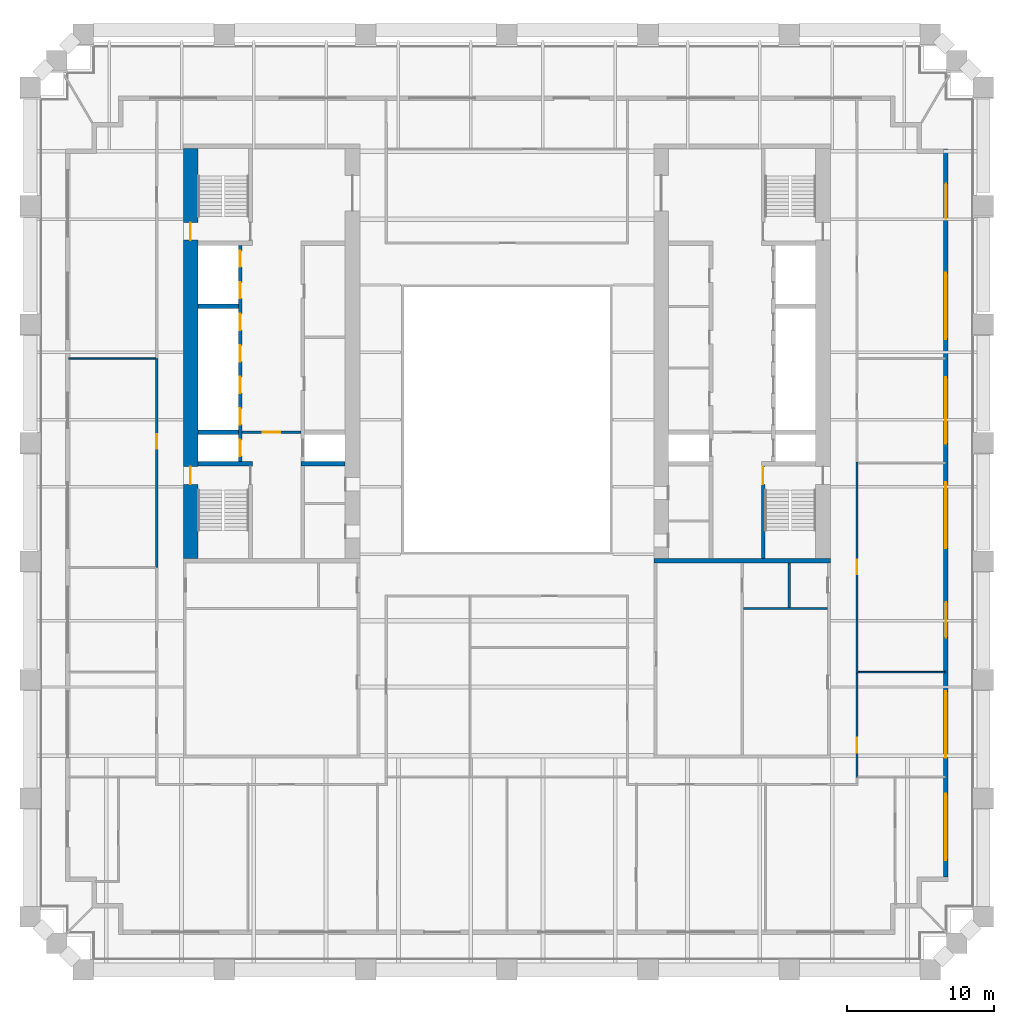
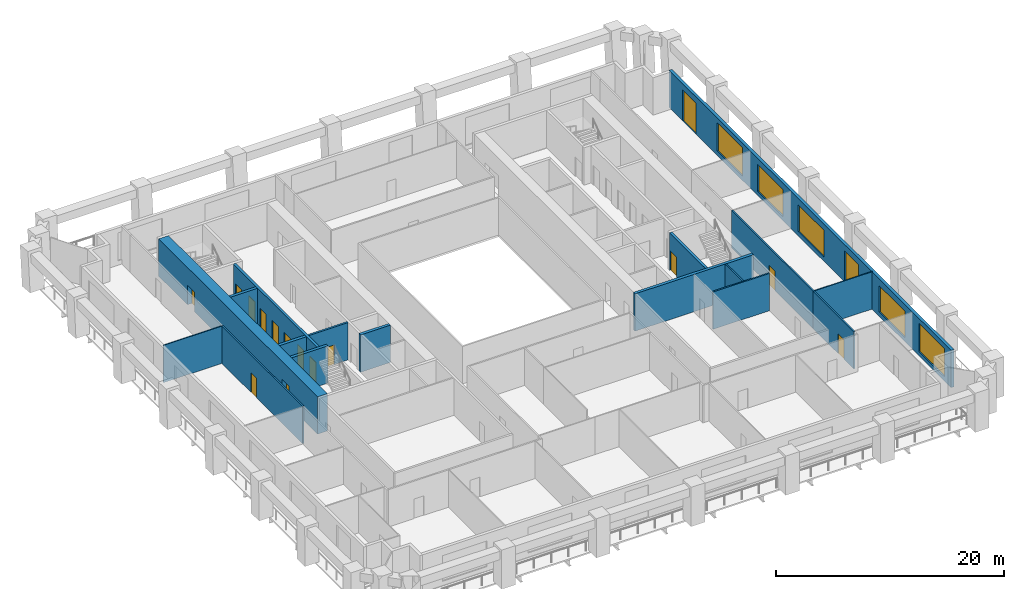
# One storey, part 5 of 10: 17 walls, 16 doors, 5 windows, 21 openings.
"""IFC4 building model written with IfcOpenShell, lengths in metres."""

from ifc_helpers import new_model, si_unit, direction, frame, frame_2d, origin, place, context, subcontext, project, spatial, rectangle, extrude, material, layer, layer_set, type_object, element, fill, save


model = new_model("IFC4")

# Units and contexts
model_context = context("Model", 3, precision=1e-05, world=origin(), true_north=direction((0.0, 1.0)))
body_context = subcontext(model_context, "Body", "Model", "MODEL_VIEW")
ifc_project = project(units=[si_unit("LENGTHUNIT", "METRE"), si_unit("AREAUNIT", "SQUARE_METRE"), si_unit("VOLUMEUNIT", "CUBIC_METRE"), si_unit("PLANEANGLEUNIT", "RADIAN"), si_unit("MASSUNIT", "GRAM", prefix="KILO")], contexts=[model_context])

# Site, building, storey
site_placement = place(None, origin())
site = spatial("IfcSite", under=ifc_project, at=site_placement, CompositionType="ELEMENT")
building_placement = place(site_placement, origin())
building = spatial("IfcBuilding", under=site, at=building_placement, Name="Ogive Exchange Tower", CompositionType="ELEMENT")
storey_placement = place(building_placement, frame((0.0, 0.0, 52.199951171875)))
storey = spatial("IfcBuildingStorey", under=building, at=storey_placement, Name="L10", CompositionType="ELEMENT", Elevation=52.199951171875)

# Walls
ifc_material_1 = material(Name="Gypsum board partition")
ifc_layer_1 = layer(ifc_material_1, 0.14990234375)
ifc_layer_set_1 = layer_set([ifc_layer_1], Name="Core room partition 150 gypsum")
wall_type_1 = type_object("IfcWallType", Name="Core room partition 150 gypsum", PredefinedType="PARTITIONING", material=ifc_layer_set_1)
wall_1_placement = place(storey_placement, frame((16.074951171875, -5.85009765625, 0.0), z_axis=(0.0, 0.0, 1.0), x_axis=(1.0, 0.0, 0.0)))
element("IfcWall", 1, at=wall_1_placement, inside=storey, type_object=wall_type_1, Name="E annex S wc strip wall 00", PredefinedType="PARTITIONING", context=body_context, shape_type="SweptSolid", body=[
    extrude(rectangle(XDim=5.72509765625, YDim=0.14990234375, at=frame_2d((2.862548828125, 0.0))), origin(), (0.0, 0.0, 1.0), 4.0),
])
wall_2_placement = place(storey_placement, frame((19.199951171875, -5.77490234375, 0.0), z_axis=(0.0, 0.0, 1.0), x_axis=(0.0, 1.0, 0.0)))
element("IfcWall", 2, at=wall_2_placement, inside=storey, type_object=wall_type_1, Name="E annex S wc partition 00", PredefinedType="PARTITIONING", context=body_context, shape_type="SweptSolid", body=[
    extrude(rectangle(XDim=3.02490234375, YDim=0.14990234375, at=frame_2d((1.512451171875, 0.0))), origin(), (0.0, 0.0, 1.0), 4.0),
])

# Wall, opening, door
ifc_material_2 = material(Name="Fire partition EI 60 150")
ifc_layer_2 = layer(ifc_material_2, 0.14990234375)
ifc_layer_set_2 = layer_set([ifc_layer_2], Name="Fire partition EI 60 150")
wall_type_2 = type_object("IfcWallType", Name="Fire partition EI 60 150", PredefinedType="PARTITIONING", material=ifc_layer_set_2)
wall_3_placement = place(storey_placement, frame((-23.800048828125, -3.06005859375, 0.0), z_axis=(0.0, 0.0, 1.0), x_axis=(0.0, 1.0, 0.0)))
wall_3 = element("IfcWall", 3, at=wall_3_placement, inside=storey, type_object=wall_type_2, Name="L10-PWL-010", PredefinedType="PARTITIONING", context=body_context, shape_type="SweptSolid", body=[
    extrude(rectangle(XDim=14.22998046875, YDim=0.14990234375, at=frame_2d((7.114990234375, 0.0))), origin(), (0.0, 0.0, 1.0), 4.0),
])
opening_1_placement = place(wall_3_placement, frame((8.080078125, 0.0, 0.0)))
opening_1 = element("IfcOpeningElement", 4, at=opening_1_placement, cuts=wall_3, Name="Opening L10-I11", PredefinedType="OPENING", context=body_context, shape_type="SweptSolid", body=[
    extrude(rectangle(XDim=1.0, YDim=2.10009765625, at=frame_2d((0.5, 1.050048828125))), frame((0.0, 0.0849609375, 0.0), z_axis=(0.0, -1.0, 0.0), x_axis=(1.0, 0.0, 0.0)), (0.0, 0.0, 1.0), 0.169921875),
])
ifc_material_3 = material(Name="Fire door FD 30S 1000 x 2100")
door_type_1 = type_object("IfcDoorType", Name="Fire door FD 30S 1000 x 2100", OperationType="NOTDEFINED", PredefinedType="DOOR", material=ifc_material_3)
door_1_placement = place(opening_1_placement, origin())
door_1 = element("IfcDoor", 5, at=door_1_placement, inside=storey, type_object=door_type_1, Name="L10-IDR-011", ObjectType="DT3", OperationType="SINGLE_SWING_LEFT", OverallHeight=2.10009765625, OverallWidth=1.0, PredefinedType="DOOR", context=body_context, shape_type="SweptSolid", body=[
    extrude(rectangle(XDim=1.0, YDim=2.10009765625, at=frame_2d((0.5, 1.050048828125))), frame((0.0, 0.02490234375, 0.0), z_axis=(0.0, -1.0, 0.0), x_axis=(1.0, 0.0, 0.0)), (0.0, 0.0, 1.0), 0.050048828125),
])
fill(opening_1, door_1)

wall_4_placement = place(storey_placement, frame((23.800048828125, -10.219970703125, 0.0), z_axis=(0.0, 0.0, 1.0), x_axis=(0.0, -1.0, 0.0)))
wall_4 = element("IfcWall", 6, at=wall_4_placement, inside=storey, type_object=wall_type_2, Name="L10-PWL-048", PredefinedType="PARTITIONING", context=body_context, shape_type="SweptSolid", body=[
    extrude(rectangle(XDim=7.1201171875, YDim=0.14990234375, at=frame_2d((3.56005859375, 0.0))), origin(), (0.0, 0.0, 1.0), 4.0),
])
opening_2_placement = place(wall_4_placement, frame((4.419921875, 0.0, 0.0)))
opening_2 = element("IfcOpeningElement", 7, at=opening_2_placement, cuts=wall_4, Name="Opening L10-I07", PredefinedType="OPENING", context=body_context, shape_type="SweptSolid", body=[
    extrude(rectangle(XDim=1.0, YDim=2.10009765625, at=frame_2d((0.5, 1.050048828125))), frame((0.0, 0.0849609375, 0.0), z_axis=(0.0, -1.0, 0.0), x_axis=(1.0, 0.0, 0.0)), (0.0, 0.0, 1.0), 0.169921875),
])
door_2_placement = place(opening_2_placement, origin())
door_2 = element("IfcDoor", 8, at=door_2_placement, inside=storey, type_object=door_type_1, Name="L10-IDR-007", ObjectType="DT3", OperationType="SINGLE_SWING_LEFT", OverallHeight=2.10009765625, OverallWidth=1.0, PredefinedType="DOOR", context=body_context, shape_type="SweptSolid", body=[
    extrude(rectangle(XDim=1.0, YDim=2.10009765625, at=frame_2d((0.5, 1.050048828125))), frame((0.0, 0.02490234375, 0.0), z_axis=(0.0, -1.0, 0.0), x_axis=(1.0, 0.0, 0.0)), (0.0, 0.0, 1.0), 0.050048828125),
])
fill(opening_2, door_2)

wall_5_placement = place(storey_placement, frame((23.800048828125, 4.110107421875, 0.0), z_axis=(0.0, 0.0, 1.0), x_axis=(0.0, -1.0, 0.0)))
wall_5 = element("IfcWall", 9, at=wall_5_placement, inside=storey, type_object=wall_type_2, Name="L10-PWL-049", PredefinedType="PARTITIONING", context=body_context, shape_type="SweptSolid", body=[
    extrude(rectangle(XDim=14.330078125, YDim=0.14990234375, at=frame_2d((7.1650390625, 0.0))), origin(), (0.0, 0.0, 1.0), 4.0),
])
opening_3_placement = place(wall_5_placement, frame((6.6298828125, 0.0, 0.0)))
opening_3 = element("IfcOpeningElement", 10, at=opening_3_placement, cuts=wall_5, Name="Opening L10-I06", PredefinedType="OPENING", context=body_context, shape_type="SweptSolid", body=[
    extrude(rectangle(XDim=1.0, YDim=2.10009765625, at=frame_2d((0.5, 1.050048828125))), frame((0.0, 0.0849609375, 0.0), z_axis=(0.0, -1.0, 0.0), x_axis=(1.0, 0.0, 0.0)), (0.0, 0.0, 1.0), 0.169921875),
])
door_3_placement = place(opening_3_placement, origin())
door_3 = element("IfcDoor", 11, at=door_3_placement, inside=storey, type_object=door_type_1, Name="L10-IDR-006", ObjectType="DT3", OperationType="SINGLE_SWING_LEFT", OverallHeight=2.10009765625, OverallWidth=1.0, PredefinedType="DOOR", context=body_context, shape_type="SweptSolid", body=[
    extrude(rectangle(XDim=1.0, YDim=2.10009765625, at=frame_2d((0.5, 1.050048828125))), frame((0.0, 0.02490234375, 0.0), z_axis=(0.0, -1.0, 0.0), x_axis=(1.0, 0.0, 0.0)), (0.0, 0.0, 1.0), 0.050048828125),
])
fill(opening_3, door_3)

# Wall, openings, doors, windows
ifc_material_4 = material(Name="Precast concrete C40/50", Category="concrete")
ifc_layer_3 = layer(ifc_material_4, 0.300048828125)
ifc_layer_set_3 = layer_set([ifc_layer_3], Name="Limestone-faced wall 300")
wall_type_3 = type_object("IfcWallType", Name="Limestone-faced wall 300", PredefinedType="STANDARD", material=ifc_layer_set_3)
wall_6_placement = place(storey_placement, frame((29.85009765625, -24.10009765625, 0.0), z_axis=(0.0, 0.0, 1.0), x_axis=(0.0, 1.0, 0.0)))
wall_6 = element("IfcWall", 12, at=wall_6_placement, inside=storey, type_object=wall_type_3, Name="External wall E2", PredefinedType="STANDARD", context=body_context, shape_type="SweptSolid", body=[
    extrude(rectangle(XDim=49.5, YDim=0.300048828125, at=frame_2d((24.75, 0.0))), origin(), (0.0, 0.0, 1.0), 4.0),
])
opening_4_placement = place(wall_6_placement, frame((1.156982421875, 0.0, 0.449951171875)))
opening_4 = element("IfcOpeningElement", 13, at=opening_4_placement, cuts=wall_6, Name="Opening W1", PredefinedType="OPENING", context=body_context, shape_type="SweptSolid", body=[
    extrude(rectangle(XDim=4.5, YDim=3.050048828125, at=frame_2d((2.25, 1.52490234375))), frame((0.0, 0.159912109375, 0.0), z_axis=(0.0, -1.0, 0.0), x_axis=(1.0, 0.0, 0.0)), (0.0, 0.0, 1.0), 0.320068359375),
])
opening_5_placement = place(wall_6_placement, frame((8.121337890625, 0.0, 0.449951171875)))
opening_5 = element("IfcOpeningElement", 14, at=opening_5_placement, cuts=wall_6, Name="Opening W1E", PredefinedType="OPENING", context=body_context, shape_type="SweptSolid", body=[
    extrude(rectangle(XDim=4.5, YDim=2.824951171875, at=frame_2d((2.25, 1.41259765625))), frame((0.0, 0.159912109375, 0.0), z_axis=(0.0, -1.0, 0.0), x_axis=(1.0, 0.0, 0.0)), (0.0, 0.0, 1.0), 0.320068359375),
])
opening_6_placement = place(wall_6_placement, frame((16.28564453125, 0.0, 0.0)))
opening_6 = element("IfcOpeningElement", 15, at=opening_6_placement, cuts=wall_6, Name="Opening D1C", PredefinedType="OPENING", context=body_context, shape_type="SweptSolid", body=[
    extrude(rectangle(XDim=2.39990234375, YDim=3.324951171875, at=frame_2d((1.199951171875, 1.66259765625))), frame((0.0, 0.159912109375, 0.0), z_axis=(0.0, -1.0, 0.0), x_axis=(1.0, 0.0, 0.0)), (0.0, 0.0, 1.0), 0.320068359375),
])
opening_7_placement = place(wall_6_placement, frame((22.35009765625, 0.0, 0.449951171875)))
opening_7 = element("IfcOpeningElement", 16, at=opening_7_placement, cuts=wall_6, Name="Opening W1D", PredefinedType="OPENING", context=body_context, shape_type="SweptSolid", body=[
    extrude(rectangle(XDim=4.5, YDim=2.875, at=frame_2d((2.25, 1.4375))), frame((0.0, 0.159912109375, 0.0), z_axis=(0.0, -1.0, 0.0), x_axis=(1.0, 0.0, 0.0)), (0.0, 0.0, 1.0), 0.320068359375),
])
opening_8_placement = place(wall_6_placement, frame((29.464111328125, 0.0, 0.449951171875)))
opening_8 = element("IfcOpeningElement", 17, at=opening_8_placement, cuts=wall_6, Name="Opening W1D", PredefinedType="OPENING", context=body_context, shape_type="SweptSolid", body=[
    extrude(rectangle(XDim=4.5, YDim=2.875, at=frame_2d((2.25, 1.4375))), frame((0.0, 0.159912109375, 0.0), z_axis=(0.0, -1.0, 0.0), x_axis=(1.0, 0.0, 0.0)), (0.0, 0.0, 1.0), 0.320068359375),
])
opening_9_placement = place(wall_6_placement, frame((36.57861328125, 0.0, 0.449951171875)))
opening_9 = element("IfcOpeningElement", 18, at=opening_9_placement, cuts=wall_6, Name="Opening W1", PredefinedType="OPENING", context=body_context, shape_type="SweptSolid", body=[
    extrude(rectangle(XDim=4.5, YDim=3.050048828125, at=frame_2d((2.25, 1.52490234375))), frame((0.0, 0.159912109375, 0.0), z_axis=(0.0, -1.0, 0.0), x_axis=(1.0, 0.0, 0.0)), (0.0, 0.0, 1.0), 0.320068359375),
])
opening_10_placement = place(wall_6_placement, frame((44.742919921875, 0.0, 0.0)))
opening_10 = element("IfcOpeningElement", 19, at=opening_10_placement, cuts=wall_6, Name="Opening D1C", PredefinedType="OPENING", context=body_context, shape_type="SweptSolid", body=[
    extrude(rectangle(XDim=2.39990234375, YDim=3.324951171875, at=frame_2d((1.199951171875, 1.66259765625))), frame((0.0, 0.159912109375, 0.0), z_axis=(0.0, -1.0, 0.0), x_axis=(1.0, 0.0, 0.0)), (0.0, 0.0, 1.0), 0.320068359375),
])
ifc_material_5 = material(Name="Clear glass in bronze frame", Category="glass")
door_type_2 = type_object("IfcDoorType", Name="Sliding loggia door 2400 x 3325", OperationType="DOUBLE_DOOR_SLIDING", PredefinedType="DOOR", material=ifc_material_5)
door_4_placement = place(opening_6_placement, origin())
door_4 = element("IfcDoor", 20, at=door_4_placement, inside=storey, type_object=door_type_2, Name="Loggia door E02", OperationType="DOUBLE_DOOR_SLIDING", OverallHeight=3.324951171875, OverallWidth=2.39990234375, PredefinedType="DOOR", context=body_context, shape_type="SweptSolid", body=[
    extrude(rectangle(XDim=2.39990234375, YDim=3.324951171875, at=frame_2d((1.199951171875, 1.66259765625))), frame((0.0, 0.02490234375, 0.0), z_axis=(0.0, -1.0, 0.0), x_axis=(1.0, 0.0, 0.0)), (0.0, 0.0, 1.0), 0.050048828125),
])
fill(opening_6, door_4)
door_5_placement = place(opening_10_placement, origin())
door_5 = element("IfcDoor", 21, at=door_5_placement, inside=storey, type_object=door_type_2, Name="Loggia door E06", OperationType="DOUBLE_DOOR_SLIDING", OverallHeight=3.324951171875, OverallWidth=2.39990234375, PredefinedType="DOOR", context=body_context, shape_type="SweptSolid", body=[
    extrude(rectangle(XDim=2.39990234375, YDim=3.324951171875, at=frame_2d((1.199951171875, 1.66259765625))), frame((0.0, 0.02490234375, 0.0), z_axis=(0.0, -1.0, 0.0), x_axis=(1.0, 0.0, 0.0)), (0.0, 0.0, 1.0), 0.050048828125),
])
fill(opening_10, door_5)
window_type_1 = type_object("IfcWindowType", Name="Twin lancet window 4500 x 2825", PartitioningType="DOUBLE_PANEL_VERTICAL", PredefinedType="WINDOW", material=ifc_material_5)
window_1_placement = place(opening_5_placement, origin())
window_1 = element("IfcWindow", 22, at=window_1_placement, inside=storey, type_object=window_type_1, Name="Window E01", OverallHeight=2.824951171875, OverallWidth=4.5, PartitioningType="DOUBLE_PANEL_VERTICAL", PredefinedType="WINDOW", context=body_context, shape_type="SweptSolid", body=[
    extrude(rectangle(XDim=4.5, YDim=2.824951171875, at=frame_2d((2.25, 1.41259765625))), frame((0.0, 0.030029296875, 0.0), z_axis=(0.0, -1.0, 0.0), x_axis=(1.0, 0.0, 0.0)), (0.0, 0.0, 1.0), 0.06005859375),
])
fill(opening_5, window_1)
window_type_2 = type_object("IfcWindowType", Name="Twin lancet window 4500 x 2875", PartitioningType="DOUBLE_PANEL_VERTICAL", PredefinedType="WINDOW", material=ifc_material_5)
window_2_placement = place(opening_7_placement, origin())
window_2 = element("IfcWindow", 23, at=window_2_placement, inside=storey, type_object=window_type_2, Name="Window E03", OverallHeight=2.875, OverallWidth=4.5, PartitioningType="DOUBLE_PANEL_VERTICAL", PredefinedType="WINDOW", context=body_context, shape_type="SweptSolid", body=[
    extrude(rectangle(XDim=4.5, YDim=2.875, at=frame_2d((2.25, 1.4375))), frame((0.0, 0.030029296875, 0.0), z_axis=(0.0, -1.0, 0.0), x_axis=(1.0, 0.0, 0.0)), (0.0, 0.0, 1.0), 0.06005859375),
])
fill(opening_7, window_2)
window_3_placement = place(opening_8_placement, origin())
window_3 = element("IfcWindow", 24, at=window_3_placement, inside=storey, type_object=window_type_2, Name="Window E04", OverallHeight=2.875, OverallWidth=4.5, PartitioningType="DOUBLE_PANEL_VERTICAL", PredefinedType="WINDOW", context=body_context, shape_type="SweptSolid", body=[
    extrude(rectangle(XDim=4.5, YDim=2.875, at=frame_2d((2.25, 1.4375))), frame((0.0, 0.030029296875, 0.0), z_axis=(0.0, -1.0, 0.0), x_axis=(1.0, 0.0, 0.0)), (0.0, 0.0, 1.0), 0.06005859375),
])
fill(opening_8, window_3)
window_type_3 = type_object("IfcWindowType", Name="Twin lancet window 4500 x 3050", PartitioningType="DOUBLE_PANEL_VERTICAL", PredefinedType="WINDOW", material=ifc_material_5)
window_4_placement = place(opening_4_placement, origin())
window_4 = element("IfcWindow", 25, at=window_4_placement, inside=storey, type_object=window_type_3, Name="Window E00", OverallHeight=3.050048828125, OverallWidth=4.5, PartitioningType="DOUBLE_PANEL_VERTICAL", PredefinedType="WINDOW", context=body_context, shape_type="SweptSolid", body=[
    extrude(rectangle(XDim=4.5, YDim=3.050048828125, at=frame_2d((2.25, 1.52490234375))), frame((0.0, 0.030029296875, 0.0), z_axis=(0.0, -1.0, 0.0), x_axis=(1.0, 0.0, 0.0)), (0.0, 0.0, 1.0), 0.06005859375),
])
fill(opening_4, window_4)
window_5_placement = place(opening_9_placement, origin())
window_5 = element("IfcWindow", 26, at=window_5_placement, inside=storey, type_object=window_type_3, Name="Window E05", OverallHeight=3.050048828125, OverallWidth=4.5, PartitioningType="DOUBLE_PANEL_VERTICAL", PredefinedType="WINDOW", context=body_context, shape_type="SweptSolid", body=[
    extrude(rectangle(XDim=4.5, YDim=3.050048828125, at=frame_2d((2.25, 1.52490234375))), frame((0.0, 0.030029296875, 0.0), z_axis=(0.0, -1.0, 0.0), x_axis=(1.0, 0.0, 0.0)), (0.0, 0.0, 1.0), 0.06005859375),
])
fill(opening_9, window_5)

# Walls
ifc_material_6 = material(Name="Partition 100 gypsum")
ifc_layer_4 = layer(ifc_material_6, 0.10009765625)
ifc_layer_set_4 = layer_set([ifc_layer_4], Name="Partition 100 gypsum")
wall_type_4 = type_object("IfcWallType", Name="Partition 100 gypsum", PredefinedType="PARTITIONING", material=ifc_layer_set_4)
for number, where, z_axis, x_axis, name in (
    (27, (-23.875, 11.169921875, 0.0), (0.0, 0.0, 1.0), (-1.0, 0.0, 0.0), "L10-PWL-011"),
    (28, (29.800048828125, -10.169921875, 0.0), (0.0, 0.0, 1.0), (-1.0, 0.0, 0.0), "L10-PWL-056"),
):
    element("IfcWall", number, at=place(storey_placement, frame(where, z_axis=z_axis, x_axis=x_axis)), inside=storey, type_object=wall_type_4, Name=name, PredefinedType="PARTITIONING", context=body_context, shape_type="SweptSolid", body=[
        extrude(rectangle(XDim=5.925048828125, YDim=0.10009765625, at=frame_2d((2.96240234375, 0.0))), origin(), (0.0, 0.0, 1.0), 4.0),
    ])

# Wall, openings, doors
ifc_material_7 = material(Name="Concrete C70/85", Category="concrete")
ifc_layer_5 = layer(ifc_material_7, 1.0)
ifc_layer_set_5 = layer_set([ifc_layer_5], Name="RC core wall 1000 C70/85")
wall_type_5 = type_object("IfcWallType", Name="RC core wall 1000 C70/85", PredefinedType="SHEAR", material=ifc_layer_set_5)
wall_7_placement = place(storey_placement, frame((-21.5, -2.449951171875, 0.0), z_axis=(0.0, 0.0, 1.0), x_axis=(0.0, 1.0, 0.0)))
wall_7 = element("IfcWall", 29, at=wall_7_placement, inside=storey, type_object=wall_type_5, Name="W outer wall", PredefinedType="SHEAR", context=body_context, shape_type="SweptSolid", body=[
    extrude(rectangle(XDim=27.89990234375, YDim=1.0, at=frame_2d((13.949951171875, 0.0))), origin(), (0.0, 0.0, 1.0), 4.0),
])
opening_11_placement = place(wall_7_placement, frame((5.050048828125, 0.0, 0.0)))
opening_11 = element("IfcOpeningElement", 30, at=opening_11_placement, cuts=wall_7, Name="Opening L10-C14", PredefinedType="OPENING", context=body_context, shape_type="SweptSolid", body=[
    extrude(rectangle(XDim=1.199951171875, YDim=2.10009765625, at=frame_2d((0.60009765625, 1.050048828125))), frame((0.0, 0.510009765625, 0.0), z_axis=(0.0, -1.0, 0.0), x_axis=(1.0, 0.0, 0.0)), (0.0, 0.0, 1.0), 1.02001953125),
])
opening_12_placement = place(wall_7_placement, frame((21.64990234375, 0.0, 0.0)))
opening_12 = element("IfcOpeningElement", 31, at=opening_12_placement, cuts=wall_7, Name="Opening L10-C16", PredefinedType="OPENING", context=body_context, shape_type="SweptSolid", body=[
    extrude(rectangle(XDim=1.199951171875, YDim=2.10009765625, at=frame_2d((0.60009765625, 1.050048828125))), frame((0.0, 0.510009765625, 0.0), z_axis=(0.0, -1.0, 0.0), x_axis=(1.0, 0.0, 0.0)), (0.0, 0.0, 1.0), 1.02001953125),
])
ifc_material_8 = material(Name="Steel fire door", Category="steel")
door_type_3 = type_object("IfcDoorType", Name="Stair door FD90 1200 x 2100", OperationType="NOTDEFINED", PredefinedType="DOOR", material=ifc_material_8)
door_6_placement = place(opening_11_placement, frame((1.199951171875, 0.0, 0.0), z_axis=(0.0, 0.0, 1.0), x_axis=(-1.0, 0.0, 0.0)))
door_6 = element("IfcDoor", 32, at=door_6_placement, inside=storey, type_object=door_type_3, Name="Stair door", ObjectType="CD5", OperationType="SINGLE_SWING_RIGHT", OverallHeight=2.10009765625, OverallWidth=1.199951171875, PredefinedType="DOOR", context=body_context, shape_type="SweptSolid", body=[
    extrude(rectangle(XDim=1.199951171875, YDim=2.10009765625, at=frame_2d((0.60009765625, 1.050048828125))), frame((0.0, 0.02490234375, 0.0), z_axis=(0.0, -1.0, 0.0), x_axis=(1.0, 0.0, 0.0)), (0.0, 0.0, 1.0), 0.050048828125),
])
fill(opening_11, door_6)
door_7_placement = place(opening_12_placement, frame((1.199951171875, 0.0, 0.0), z_axis=(0.0, 0.0, 1.0), x_axis=(-1.0, 0.0, 0.0)))
door_7 = element("IfcDoor", 33, at=door_7_placement, inside=storey, type_object=door_type_3, Name="Stair door", ObjectType="CD5", OperationType="SINGLE_SWING_LEFT", OverallHeight=2.10009765625, OverallWidth=1.199951171875, PredefinedType="DOOR", context=body_context, shape_type="SweptSolid", body=[
    extrude(rectangle(XDim=1.199951171875, YDim=2.10009765625, at=frame_2d((0.60009765625, 1.050048828125))), frame((0.0, 0.02490234375, 0.0), z_axis=(0.0, -1.0, 0.0), x_axis=(1.0, 0.0, 0.0)), (0.0, 0.0, 1.0), 0.050048828125),
])
fill(opening_12, door_7)

# Wall, opening, door
ifc_layer_6 = layer(ifc_material_7, 0.199951171875)
ifc_layer_set_6 = layer_set([ifc_layer_6], Name="RC core wall 200 C70/85")
wall_type_6 = type_object("IfcWallType", Name="RC core wall 200 C70/85", PredefinedType="SHEAR", material=ifc_layer_set_6)
wall_8_placement = place(storey_placement, frame((-18.0, 6.142822265625, 0.0), z_axis=(0.0, 0.0, 1.0), x_axis=(1.0, 0.0, 0.0)))
wall_8 = element("IfcWall", 34, at=wall_8_placement, inside=storey, type_object=wall_type_6, Name="W firefighting lobby wall", PredefinedType="SHEAR", context=body_context, shape_type="SweptSolid", body=[
    extrude(rectangle(XDim=4.0, YDim=0.199951171875, at=frame_2d((2.0, 0.0))), origin(), (0.0, 0.0, 1.0), 4.0),
])
opening_13_placement = place(wall_8_placement, frame((1.39990234375, 0.0, 0.0)))
opening_13 = element("IfcOpeningElement", 35, at=opening_13_placement, cuts=wall_8, Name="Opening L10-C11", PredefinedType="OPENING", context=body_context, shape_type="SweptSolid", body=[
    extrude(rectangle(XDim=1.199951171875, YDim=2.10009765625, at=frame_2d((0.60009765625, 1.050048828125))), frame((0.0, 0.10986328125, 0.0), z_axis=(0.0, -1.0, 0.0), x_axis=(1.0, 0.0, 0.0)), (0.0, 0.0, 1.0), 0.219970703125),
])
door_type_4 = type_object("IfcDoorType", Name="Firefighting lobby door FD60 1200 x 2100", OperationType="NOTDEFINED", PredefinedType="DOOR", material=ifc_material_8)
door_8_placement = place(opening_13_placement, frame((1.199951171875, 0.0, 0.0), z_axis=(0.0, 0.0, 1.0), x_axis=(-1.0, 0.0, 0.0)))
door_8 = element("IfcDoor", 36, at=door_8_placement, inside=storey, type_object=door_type_4, Name="Firefighting lobby door", ObjectType="CD3", OperationType="SINGLE_SWING_RIGHT", OverallHeight=2.10009765625, OverallWidth=1.199951171875, PredefinedType="DOOR", context=body_context, shape_type="SweptSolid", body=[
    extrude(rectangle(XDim=1.199951171875, YDim=2.10009765625, at=frame_2d((0.60009765625, 1.050048828125))), frame((0.0, 0.02490234375, 0.0), z_axis=(0.0, -1.0, 0.0), x_axis=(1.0, 0.0, 0.0)), (0.0, 0.0, 1.0), 0.050048828125),
])
fill(opening_13, door_8)

# Wall, openings, doors
ifc_layer_7 = layer(ifc_material_7, 0.25)
ifc_layer_set_7 = layer_set([ifc_layer_7], Name="RC core wall 250 C70/85")
wall_type_7 = type_object("IfcWallType", Name="RC core wall 250 C70/85", PredefinedType="SHEAR", material=ifc_layer_set_7)
wall_9_placement = place(storey_placement, frame((-18.125, 4.14990234375, 0.0), z_axis=(0.0, 0.0, 1.0), x_axis=(0.0, 1.0, 0.0)))
wall_9 = element("IfcWall", 37, at=wall_9_placement, inside=storey, type_object=wall_type_7, Name="W row A front wall", PredefinedType="SHEAR", context=body_context, shape_type="SweptSolid", body=[
    extrude(rectangle(XDim=14.7001953125, YDim=0.25, at=frame_2d((7.35009765625, 0.0))), origin(), (0.0, 0.0, 1.0), 4.0),
])
opening_14_placement = place(wall_9_placement, frame((0.371337890625, 0.0, 0.0)))
opening_14 = element("IfcOpeningElement", 38, at=opening_14_placement, cuts=wall_9, Name="Opening L10-C01", PredefinedType="OPENING", context=body_context, shape_type="SweptSolid", body=[
    extrude(rectangle(XDim=1.10009765625, YDim=2.10009765625, at=frame_2d((0.550048828125, 1.050048828125))), frame((0.0, 0.135009765625, 0.0), z_axis=(0.0, -1.0, 0.0), x_axis=(1.0, 0.0, 0.0)), (0.0, 0.0, 1.0), 0.27001953125),
])
opening_15_placement = place(wall_9_placement, frame((2.514404296875, 0.0, 0.0)))
opening_15 = element("IfcOpeningElement", 39, at=opening_15_placement, cuts=wall_9, Name="Opening L10-C02", PredefinedType="OPENING", context=body_context, shape_type="SweptSolid", body=[
    extrude(rectangle(XDim=1.10009765625, YDim=2.10009765625, at=frame_2d((0.550048828125, 1.050048828125))), frame((0.0, 0.135009765625, 0.0), z_axis=(0.0, -1.0, 0.0), x_axis=(1.0, 0.0, 0.0)), (0.0, 0.0, 1.0), 0.27001953125),
])
opening_16_placement = place(wall_9_placement, frame((4.656982421875, 0.0, 0.0)))
opening_16 = element("IfcOpeningElement", 40, at=opening_16_placement, cuts=wall_9, Name="Opening L10-C03", PredefinedType="OPENING", context=body_context, shape_type="SweptSolid", body=[
    extrude(rectangle(XDim=1.10009765625, YDim=2.10009765625, at=frame_2d((0.550048828125, 1.050048828125))), frame((0.0, 0.135009765625, 0.0), z_axis=(0.0, -1.0, 0.0), x_axis=(1.0, 0.0, 0.0)), (0.0, 0.0, 1.0), 0.27001953125),
])
opening_17_placement = place(wall_9_placement, frame((6.800048828125, 0.0, 0.0)))
opening_17 = element("IfcOpeningElement", 41, at=opening_17_placement, cuts=wall_9, Name="Opening L10-C04", PredefinedType="OPENING", context=body_context, shape_type="SweptSolid", body=[
    extrude(rectangle(XDim=1.10009765625, YDim=2.10009765625, at=frame_2d((0.550048828125, 1.050048828125))), frame((0.0, 0.135009765625, 0.0), z_axis=(0.0, -1.0, 0.0), x_axis=(1.0, 0.0, 0.0)), (0.0, 0.0, 1.0), 0.27001953125),
])
opening_18_placement = place(wall_9_placement, frame((8.94287109375, 0.0, 0.0)))
opening_18 = element("IfcOpeningElement", 42, at=opening_18_placement, cuts=wall_9, Name="Opening L10-C05", PredefinedType="OPENING", context=body_context, shape_type="SweptSolid", body=[
    extrude(rectangle(XDim=1.10009765625, YDim=2.10009765625, at=frame_2d((0.550048828125, 1.050048828125))), frame((0.0, 0.135009765625, 0.0), z_axis=(0.0, -1.0, 0.0), x_axis=(1.0, 0.0, 0.0)), (0.0, 0.0, 1.0), 0.27001953125),
])
opening_19_placement = place(wall_9_placement, frame((11.085693359375, 0.0, 0.0)))
opening_19 = element("IfcOpeningElement", 43, at=opening_19_placement, cuts=wall_9, Name="Opening L10-C06", PredefinedType="OPENING", context=body_context, shape_type="SweptSolid", body=[
    extrude(rectangle(XDim=1.10009765625, YDim=2.10009765625, at=frame_2d((0.550048828125, 1.050048828125))), frame((0.0, 0.135009765625, 0.0), z_axis=(0.0, -1.0, 0.0), x_axis=(1.0, 0.0, 0.0)), (0.0, 0.0, 1.0), 0.27001953125),
])
opening_20_placement = place(wall_9_placement, frame((13.228515625, 0.0, 0.0)))
opening_20 = element("IfcOpeningElement", 44, at=opening_20_placement, cuts=wall_9, Name="Opening L10-C07", PredefinedType="OPENING", context=body_context, shape_type="SweptSolid", body=[
    extrude(rectangle(XDim=1.10009765625, YDim=2.10009765625, at=frame_2d((0.550048828125, 1.050048828125))), frame((0.0, 0.135009765625, 0.0), z_axis=(0.0, -1.0, 0.0), x_axis=(1.0, 0.0, 0.0)), (0.0, 0.0, 1.0), 0.27001953125),
])
ifc_material_9 = material(Name="Stainless steel", Category="steel")
door_type_5 = type_object("IfcDoorType", Name="Lift landing door FD90 1100 x 2100", OperationType="SLIDING_TO_LEFT", PredefinedType="DOOR", material=ifc_material_9)
door_9_placement = place(opening_14_placement, origin())
door_9 = element("IfcDoor", 45, at=door_9_placement, inside=storey, type_object=door_type_5, Name="Lift landing door FF1", ObjectType="LD", OperationType="SLIDING_TO_LEFT", OverallHeight=2.10009765625, OverallWidth=1.10009765625, PredefinedType="DOOR", context=body_context, shape_type="SweptSolid", body=[
    extrude(rectangle(XDim=1.10009765625, YDim=2.10009765625, at=frame_2d((0.550048828125, 1.050048828125))), frame((0.0, 0.02490234375, 0.0), z_axis=(0.0, -1.0, 0.0), x_axis=(1.0, 0.0, 0.0)), (0.0, 0.0, 1.0), 0.050048828125),
])
fill(opening_14, door_9)
door_10_placement = place(opening_15_placement, origin())
door_10 = element("IfcDoor", 46, at=door_10_placement, inside=storey, type_object=door_type_5, Name="Lift landing door W-L1", ObjectType="LD", OperationType="SLIDING_TO_LEFT", OverallHeight=2.10009765625, OverallWidth=1.10009765625, PredefinedType="DOOR", context=body_context, shape_type="SweptSolid", body=[
    extrude(rectangle(XDim=1.10009765625, YDim=2.10009765625, at=frame_2d((0.550048828125, 1.050048828125))), frame((0.0, 0.02490234375, 0.0), z_axis=(0.0, -1.0, 0.0), x_axis=(1.0, 0.0, 0.0)), (0.0, 0.0, 1.0), 0.050048828125),
])
fill(opening_15, door_10)
door_11_placement = place(opening_16_placement, origin())
door_11 = element("IfcDoor", 47, at=door_11_placement, inside=storey, type_object=door_type_5, Name="Lift landing door W-L2", ObjectType="LD", OperationType="SLIDING_TO_LEFT", OverallHeight=2.10009765625, OverallWidth=1.10009765625, PredefinedType="DOOR", context=body_context, shape_type="SweptSolid", body=[
    extrude(rectangle(XDim=1.10009765625, YDim=2.10009765625, at=frame_2d((0.550048828125, 1.050048828125))), frame((0.0, 0.02490234375, 0.0), z_axis=(0.0, -1.0, 0.0), x_axis=(1.0, 0.0, 0.0)), (0.0, 0.0, 1.0), 0.050048828125),
])
fill(opening_16, door_11)
door_12_placement = place(opening_17_placement, origin())
door_12 = element("IfcDoor", 48, at=door_12_placement, inside=storey, type_object=door_type_5, Name="Lift landing door W-L3", ObjectType="LD", OperationType="SLIDING_TO_LEFT", OverallHeight=2.10009765625, OverallWidth=1.10009765625, PredefinedType="DOOR", context=body_context, shape_type="SweptSolid", body=[
    extrude(rectangle(XDim=1.10009765625, YDim=2.10009765625, at=frame_2d((0.550048828125, 1.050048828125))), frame((0.0, 0.02490234375, 0.0), z_axis=(0.0, -1.0, 0.0), x_axis=(1.0, 0.0, 0.0)), (0.0, 0.0, 1.0), 0.050048828125),
])
fill(opening_17, door_12)
door_13_placement = place(opening_18_placement, origin())
door_13 = element("IfcDoor", 49, at=door_13_placement, inside=storey, type_object=door_type_5, Name="Lift landing door W-L4", ObjectType="LD", OperationType="SLIDING_TO_LEFT", OverallHeight=2.10009765625, OverallWidth=1.10009765625, PredefinedType="DOOR", context=body_context, shape_type="SweptSolid", body=[
    extrude(rectangle(XDim=1.10009765625, YDim=2.10009765625, at=frame_2d((0.550048828125, 1.050048828125))), frame((0.0, 0.02490234375, 0.0), z_axis=(0.0, -1.0, 0.0), x_axis=(1.0, 0.0, 0.0)), (0.0, 0.0, 1.0), 0.050048828125),
])
fill(opening_18, door_13)
door_14_placement = place(opening_19_placement, origin())
door_14 = element("IfcDoor", 50, at=door_14_placement, inside=storey, type_object=door_type_5, Name="Lift landing door W-SH1", ObjectType="LD", OperationType="SLIDING_TO_LEFT", OverallHeight=2.10009765625, OverallWidth=1.10009765625, PredefinedType="DOOR", context=body_context, shape_type="SweptSolid", body=[
    extrude(rectangle(XDim=1.10009765625, YDim=2.10009765625, at=frame_2d((0.550048828125, 1.050048828125))), frame((0.0, 0.02490234375, 0.0), z_axis=(0.0, -1.0, 0.0), x_axis=(1.0, 0.0, 0.0)), (0.0, 0.0, 1.0), 0.050048828125),
])
fill(opening_19, door_14)
door_15_placement = place(opening_20_placement, origin())
door_15 = element("IfcDoor", 51, at=door_15_placement, inside=storey, type_object=door_type_5, Name="Lift landing door W-SH2", ObjectType="LD", OperationType="SLIDING_TO_LEFT", OverallHeight=2.10009765625, OverallWidth=1.10009765625, PredefinedType="DOOR", context=body_context, shape_type="SweptSolid", body=[
    extrude(rectangle(XDim=1.10009765625, YDim=2.10009765625, at=frame_2d((0.550048828125, 1.050048828125))), frame((0.0, 0.02490234375, 0.0), z_axis=(0.0, -1.0, 0.0), x_axis=(1.0, 0.0, 0.0)), (0.0, 0.0, 1.0), 0.050048828125),
])
fill(opening_20, door_15)

# Wall, opening, door
wall_10_placement = place(storey_placement, frame((17.425048828125, -2.449951171875, 0.0), z_axis=(0.0, 0.0, 1.0), x_axis=(0.0, 1.0, 0.0)))
wall_10 = element("IfcWall", 52, at=wall_10_placement, inside=storey, type_object=wall_type_7, Name="E stair S front wall", PredefinedType="SHEAR", context=body_context, shape_type="SweptSolid", body=[
    extrude(rectangle(XDim=6.300048828125, YDim=0.25, at=frame_2d((3.14990234375, 0.0))), origin(), (0.0, 0.0, 1.0), 4.0),
])
opening_21_placement = place(wall_10_placement, frame((5.050048828125, 0.0, 0.0)))
opening_21 = element("IfcOpeningElement", 53, at=opening_21_placement, cuts=wall_10, Name="Opening L10-C35", PredefinedType="OPENING", context=body_context, shape_type="SweptSolid", body=[
    extrude(rectangle(XDim=1.199951171875, YDim=2.10009765625, at=frame_2d((0.60009765625, 1.050048828125))), frame((0.0, 0.135009765625, 0.0), z_axis=(0.0, -1.0, 0.0), x_axis=(1.0, 0.0, 0.0)), (0.0, 0.0, 1.0), 0.27001953125),
])
door_16_placement = place(opening_21_placement, frame((1.199951171875, 0.0, 0.0), z_axis=(0.0, 0.0, 1.0), x_axis=(-1.0, 0.0, 0.0)))
door_16 = element("IfcDoor", 54, at=door_16_placement, inside=storey, type_object=door_type_3, Name="Stair door", ObjectType="CD5", OperationType="SINGLE_SWING_RIGHT", OverallHeight=2.10009765625, OverallWidth=1.199951171875, PredefinedType="DOOR", context=body_context, shape_type="SweptSolid", body=[
    extrude(rectangle(XDim=1.199951171875, YDim=2.10009765625, at=frame_2d((0.60009765625, 1.050048828125))), frame((0.0, 0.02490234375, 0.0), z_axis=(0.0, -1.0, 0.0), x_axis=(1.0, 0.0, 0.0)), (0.0, 0.0, 1.0), 0.050048828125),
])
fill(opening_21, door_16)

# Walls
ifc_layer_8 = layer(ifc_material_7, 0.300048828125)
ifc_layer_set_8 = layer_set([ifc_layer_8], Name="RC core wall 300 C70/85")
wall_type_8 = type_object("IfcWallType", Name="RC core wall 300 C70/85", PredefinedType="SHEAR", material=ifc_layer_set_8)
wall_11_placement = place(storey_placement, frame((-21.0, 4.0, 0.0), z_axis=(0.0, 0.0, 1.0), x_axis=(1.0, 0.0, 0.0)))
element("IfcWall", 55, at=wall_11_placement, inside=storey, type_object=wall_type_8, Name="W stair S north wall", PredefinedType="SHEAR", context=body_context, shape_type="SweptSolid", body=[
    extrude(rectangle(XDim=3.699951171875, YDim=0.300048828125, at=frame_2d((1.85009765625, 0.0))), origin(), (0.0, 0.0, 1.0), 4.0),
])
for number, where, z_axis, x_axis, name in (
    (56, (-21.0, 6.142822265625, 0.0), (0.0, 0.0, 1.0), (1.0, 0.0, 0.0), "W row A divider 1"),
    (57, (-21.0, 14.71435546875, 0.0), (0.0, 0.0, 1.0), (1.0, 0.0, 0.0), "W row A divider 5"),
):
    element("IfcWall", number, at=place(storey_placement, frame(where, z_axis=z_axis, x_axis=x_axis)), inside=storey, type_object=wall_type_8, Name=name, PredefinedType="SHEAR", context=body_context, shape_type="SweptSolid", body=[
        extrude(rectangle(XDim=2.75, YDim=0.300048828125, at=frame_2d((1.375, 0.0))), origin(), (0.0, 0.0, 1.0), 4.0),
    ])
wall_12_placement = place(storey_placement, frame((-14.0, 4.0, 0.0), z_axis=(0.0, 0.0, 1.0), x_axis=(1.0, 0.0, 0.0)))
element("IfcWall", 58, at=wall_12_placement, inside=storey, type_object=wall_type_8, Name="W row B divider 0", PredefinedType="SHEAR", context=body_context, shape_type="SweptSolid", body=[
    extrude(rectangle(XDim=3.0, YDim=0.300048828125, at=frame_2d((1.5, 0.0))), origin(), (0.0, 0.0, 1.0), 4.0),
])
wall_13_placement = place(storey_placement, frame((10.0, -2.60009765625, 0.0), z_axis=(0.0, 0.0, 1.0), x_axis=(1.0, 0.0, 0.0)))
element("IfcWall", 59, at=wall_13_placement, inside=storey, type_object=wall_type_8, Name="E south end wall", PredefinedType="SHEAR", context=body_context, shape_type="SweptSolid", body=[
    extrude(rectangle(XDim=12.0, YDim=0.300048828125, at=frame_2d((6.0, 0.0))), origin(), (0.0, 0.0, 1.0), 4.0),
])

save(model, "model.ifc")
